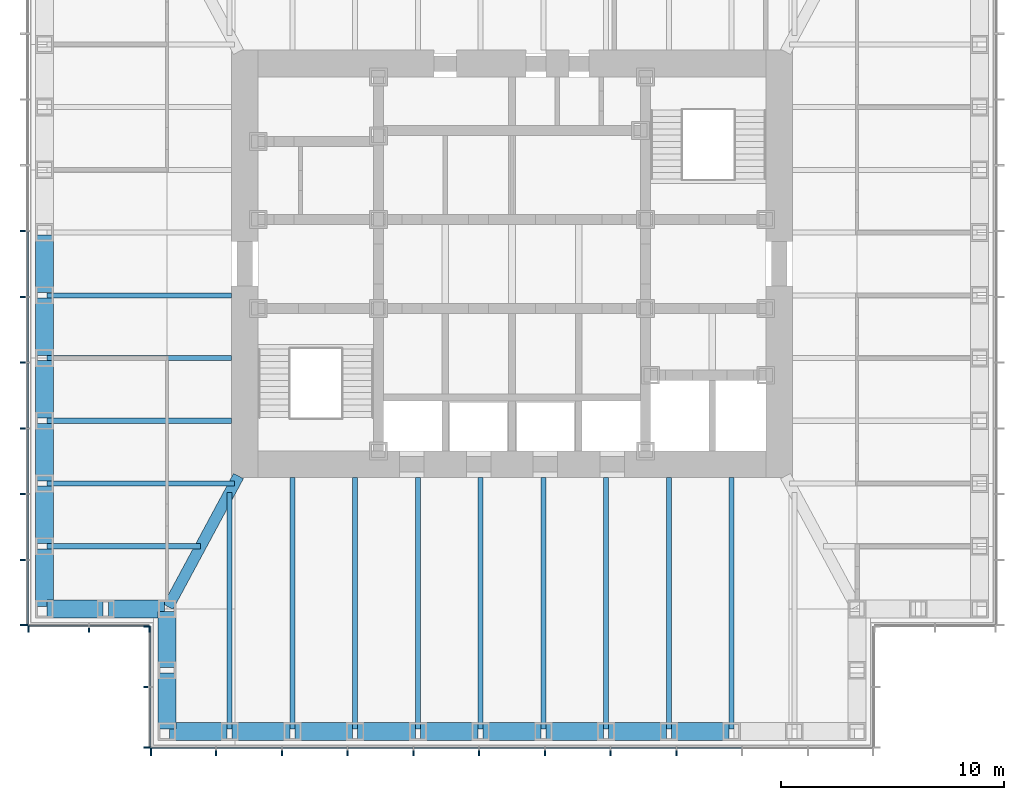
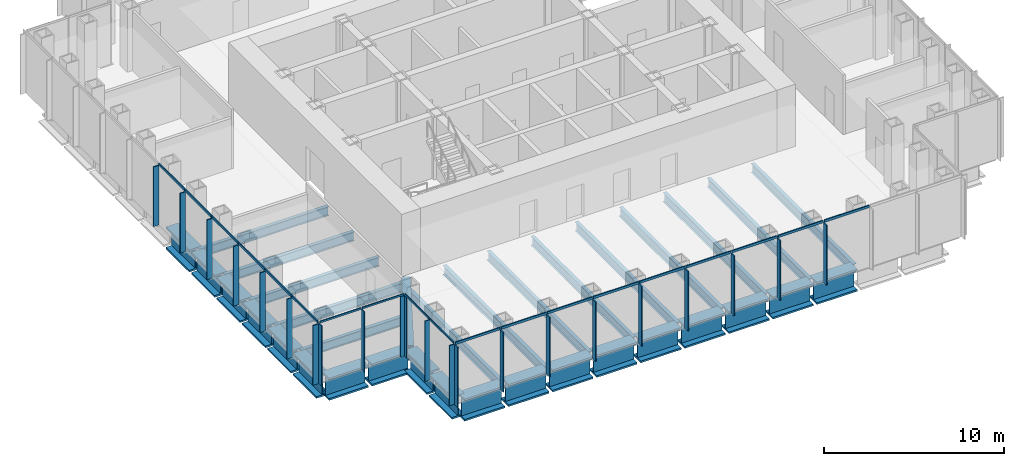
# One storey, part 2 of 16: 41 members, 34 beams, 4 elements without a shape of their own.
"""IFC4 building model written with IfcOpenShell, lengths in metres."""

from ifc_helpers import new_model, si_unit, direction, frame, origin, origin_2d, place, context, subcontext, project, spatial, rectangle, i_section, extrude, material, material_profile, profile_set, type_object, element, aggregate, save


model = new_model("IFC4")

# Units and contexts
model_context = context("Model", 3, precision=1e-05, world=origin(), true_north=direction((0.0, 1.0)))
body_context = subcontext(model_context, "Body", "Model", "MODEL_VIEW")
ifc_project = project(units=[si_unit("LENGTHUNIT", "METRE"), si_unit("AREAUNIT", "SQUARE_METRE"), si_unit("VOLUMEUNIT", "CUBIC_METRE"), si_unit("PLANEANGLEUNIT", "RADIAN"), si_unit("MASSUNIT", "GRAM", prefix="KILO")], contexts=[model_context])

# Site, building, storey
site_placement = place(None, origin())
site = spatial("IfcSite", under=ifc_project, at=site_placement, CompositionType="ELEMENT")
building_placement = place(site_placement, origin())
building = spatial("IfcBuilding", under=site, at=building_placement, Name="Daluyong Arena Tower", CompositionType="ELEMENT")
storey_placement = place(building_placement, frame((0.0, 0.0, 214.89990234375)))
storey = spatial("IfcBuildingStorey", under=building, at=storey_placement, Name="L48", CompositionType="ELEMENT", Elevation=214.89990234375)

# Curtain wall, members
ifc_material_1 = material(Name="Bronze anodised aluminium and glass", Category="aluminium")
curtain_wall_type_1 = type_object("IfcCurtainWallType", Name="Curtain wall CW3", PredefinedType="USERDEFINED", material=ifc_material_1)
curtain_wall_1_placement = place(storey_placement, origin())
curtain_wall_1 = element("IfcCurtainWall", 1, at=curtain_wall_1_placement, inside=storey, type_object=curtain_wall_type_1, Name="curtain wall L48 S", ObjectType="UNITISED CURTAIN WALL", PredefinedType="USERDEFINED")
ifc_material_2 = material(Name="Bronze anodised aluminium fin", Category="aluminium")
ifc_material_profile_1 = material_profile(ifc_material_2, rectangle(XDim=0.35009765625, YDim=0.070068359375, at=origin_2d()))
ifc_profile_set_1 = profile_set([ifc_material_profile_1], Name="Bronze anodised aluminium fin")
member_type_1 = type_object("IfcMemberType", Name="CW3 bronze fin 350x70", PredefinedType="MULLION", material=ifc_profile_set_1)
member_1_placement = place(storey_placement, frame((39.784912109375, 58.074951171875, 0.0), z_axis=(0.0, 0.0, 1.0), x_axis=(0.0, 1.0, 0.0)))
member_1 = element("IfcMember", 2, at=member_1_placement, type_object=member_type_1, Name="curtain wall L48 S fin 1", PredefinedType="MULLION", context=body_context, shape_type="SweptSolid", body=[
    extrude(rectangle(XDim=0.35009765625, YDim=0.070068359375, at=origin_2d()), origin(), (0.0, 0.0, 1.0), 4.0400390625),
])
member_2_placement = place(storey_placement, frame((42.70458984375, 58.074951171875, 0.0), z_axis=(0.0, 0.0, 1.0), x_axis=(0.0, 1.0, 0.0)))
member_2 = element("IfcMember", 3, at=member_2_placement, type_object=member_type_1, Name="curtain wall L48 S fin 2", PredefinedType="MULLION", context=body_context, shape_type="SweptSolid", body=[
    extrude(rectangle(XDim=0.35009765625, YDim=0.070068359375, at=origin_2d()), origin(), (0.0, 0.0, 1.0), 4.0400390625),
])
member_3_placement = place(storey_placement, frame((45.6591796875, 58.074951171875, 0.0), z_axis=(0.0, 0.0, 1.0), x_axis=(0.0, 1.0, 0.0)))
member_3 = element("IfcMember", 4, at=member_3_placement, type_object=member_type_1, Name="curtain wall L48 S fin 3", PredefinedType="MULLION", context=body_context, shape_type="SweptSolid", body=[
    extrude(rectangle(XDim=0.35009765625, YDim=0.070068359375, at=origin_2d()), origin(), (0.0, 0.0, 1.0), 4.0400390625),
])
member_4_placement = place(storey_placement, frame((48.613525390625, 58.074951171875, 0.0), z_axis=(0.0, 0.0, 1.0), x_axis=(0.0, 1.0, 0.0)))
member_4 = element("IfcMember", 5, at=member_4_placement, type_object=member_type_1, Name="curtain wall L48 S fin 4", PredefinedType="MULLION", context=body_context, shape_type="SweptSolid", body=[
    extrude(rectangle(XDim=0.35009765625, YDim=0.070068359375, at=origin_2d()), origin(), (0.0, 0.0, 1.0), 4.0400390625),
])
member_5_placement = place(storey_placement, frame((51.568115234375, 58.074951171875, 0.0), z_axis=(0.0, 0.0, 1.0), x_axis=(0.0, 1.0, 0.0)))
member_5 = element("IfcMember", 6, at=member_5_placement, type_object=member_type_1, Name="curtain wall L48 S fin 5", PredefinedType="MULLION", context=body_context, shape_type="SweptSolid", body=[
    extrude(rectangle(XDim=0.35009765625, YDim=0.070068359375, at=origin_2d()), origin(), (0.0, 0.0, 1.0), 4.0400390625),
])
member_6_placement = place(storey_placement, frame((54.522705078125, 58.074951171875, 0.0), z_axis=(0.0, 0.0, 1.0), x_axis=(0.0, 1.0, 0.0)))
member_6 = element("IfcMember", 7, at=member_6_placement, type_object=member_type_1, Name="curtain wall L48 S fin 6", PredefinedType="MULLION", context=body_context, shape_type="SweptSolid", body=[
    extrude(rectangle(XDim=0.35009765625, YDim=0.070068359375, at=origin_2d()), origin(), (0.0, 0.0, 1.0), 4.0400390625),
])
member_7_placement = place(storey_placement, frame((57.477294921875, 58.074951171875, 0.0), z_axis=(0.0, 0.0, 1.0), x_axis=(0.0, 1.0, 0.0)))
member_7 = element("IfcMember", 8, at=member_7_placement, type_object=member_type_1, Name="curtain wall L48 S fin 7", PredefinedType="MULLION", context=body_context, shape_type="SweptSolid", body=[
    extrude(rectangle(XDim=0.35009765625, YDim=0.070068359375, at=origin_2d()), origin(), (0.0, 0.0, 1.0), 4.0400390625),
])
member_8_placement = place(storey_placement, frame((60.431884765625, 58.074951171875, 0.0), z_axis=(0.0, 0.0, 1.0), x_axis=(0.0, 1.0, 0.0)))
member_8 = element("IfcMember", 9, at=member_8_placement, type_object=member_type_1, Name="curtain wall L48 S fin 8", PredefinedType="MULLION", context=body_context, shape_type="SweptSolid", body=[
    extrude(rectangle(XDim=0.35009765625, YDim=0.070068359375, at=origin_2d()), origin(), (0.0, 0.0, 1.0), 4.0400390625),
])
member_9_placement = place(storey_placement, frame((63.386474609375, 58.074951171875, 0.0), z_axis=(0.0, 0.0, 1.0), x_axis=(0.0, 1.0, 0.0)))
member_9 = element("IfcMember", 10, at=member_9_placement, type_object=member_type_1, Name="curtain wall L48 S fin 9", PredefinedType="MULLION", context=body_context, shape_type="SweptSolid", body=[
    extrude(rectangle(XDim=0.35009765625, YDim=0.070068359375, at=origin_2d()), origin(), (0.0, 0.0, 1.0), 4.0400390625),
])

curtain_wall_2_placement = place(storey_placement, origin())
curtain_wall_2 = element("IfcCurtainWall", 11, at=curtain_wall_2_placement, inside=storey, type_object=curtain_wall_type_1, Name="curtain wall L48 W", ObjectType="UNITISED CURTAIN WALL", PredefinedType="USERDEFINED")
member_10_placement = place(storey_placement, frame((34.074951171875, 81.477294921875, 0.0), z_axis=(0.0, 0.0, 1.0), x_axis=(1.0, 0.0, 0.0)))
member_10 = element("IfcMember", 12, at=member_10_placement, type_object=member_type_1, Name="curtain wall L48 W fin 6", PredefinedType="MULLION", context=body_context, shape_type="SweptSolid", body=[
    extrude(rectangle(XDim=0.35009765625, YDim=0.070068359375, at=origin_2d()), origin(), (0.0, 0.0, 1.0), 4.0400390625),
])
member_11_placement = place(storey_placement, frame((34.074951171875, 78.522705078125, 0.0), z_axis=(0.0, 0.0, 1.0), x_axis=(1.0, 0.0, 0.0)))
member_11 = element("IfcMember", 13, at=member_11_placement, type_object=member_type_1, Name="curtain wall L48 W fin 7", PredefinedType="MULLION", context=body_context, shape_type="SweptSolid", body=[
    extrude(rectangle(XDim=0.35009765625, YDim=0.070068359375, at=origin_2d()), origin(), (0.0, 0.0, 1.0), 4.0400390625),
])
member_12_placement = place(storey_placement, frame((34.074951171875, 75.568115234375, 0.0), z_axis=(0.0, 0.0, 1.0), x_axis=(1.0, 0.0, 0.0)))
member_12 = element("IfcMember", 14, at=member_12_placement, type_object=member_type_1, Name="curtain wall L48 W fin 8", PredefinedType="MULLION", context=body_context, shape_type="SweptSolid", body=[
    extrude(rectangle(XDim=0.35009765625, YDim=0.070068359375, at=origin_2d()), origin(), (0.0, 0.0, 1.0), 4.0400390625),
])
member_13_placement = place(storey_placement, frame((34.074951171875, 72.613525390625, 0.0), z_axis=(0.0, 0.0, 1.0), x_axis=(1.0, 0.0, 0.0)))
member_13 = element("IfcMember", 15, at=member_13_placement, type_object=member_type_1, Name="curtain wall L48 W fin 9", PredefinedType="MULLION", context=body_context, shape_type="SweptSolid", body=[
    extrude(rectangle(XDim=0.35009765625, YDim=0.070068359375, at=origin_2d()), origin(), (0.0, 0.0, 1.0), 4.0400390625),
])
member_14_placement = place(storey_placement, frame((34.074951171875, 69.6591796875, 0.0), z_axis=(0.0, 0.0, 1.0), x_axis=(1.0, 0.0, 0.0)))
member_14 = element("IfcMember", 16, at=member_14_placement, type_object=member_type_1, Name="curtain wall L48 W fin 10", PredefinedType="MULLION", context=body_context, shape_type="SweptSolid", body=[
    extrude(rectangle(XDim=0.35009765625, YDim=0.070068359375, at=origin_2d()), origin(), (0.0, 0.0, 1.0), 4.0400390625),
])
member_15_placement = place(storey_placement, frame((34.074951171875, 66.70458984375, 0.0), z_axis=(0.0, 0.0, 1.0), x_axis=(1.0, 0.0, 0.0)))
member_15 = element("IfcMember", 17, at=member_15_placement, type_object=member_type_1, Name="curtain wall L48 W fin 11", PredefinedType="MULLION", context=body_context, shape_type="SweptSolid", body=[
    extrude(rectangle(XDim=0.35009765625, YDim=0.070068359375, at=origin_2d()), origin(), (0.0, 0.0, 1.0), 4.0400390625),
])
member_16_placement = place(storey_placement, frame((34.074951171875, 63.784912109375, 0.0), z_axis=(0.0, 0.0, 1.0), x_axis=(1.0, 0.0, 0.0)))
member_16 = element("IfcMember", 18, at=member_16_placement, type_object=member_type_1, Name="curtain wall L48 W fin 12", PredefinedType="MULLION", context=body_context, shape_type="SweptSolid", body=[
    extrude(rectangle(XDim=0.35009765625, YDim=0.070068359375, at=origin_2d()), origin(), (0.0, 0.0, 1.0), 4.0400390625),
])

# Member
ifc_material_3 = material(Name="Bronze anodised aluminium", Category="aluminium")
ifc_material_profile_2 = material_profile(ifc_material_3, rectangle(XDim=0.070068359375, YDim=0.159912109375, at=origin_2d()))
ifc_profile_set_2 = profile_set([ifc_material_profile_2], Name="Bronze anodised aluminium")
member_type_2 = type_object("IfcMemberType", Name="CW3 stack transom 160x70", PredefinedType="USERDEFINED", material=ifc_profile_set_2)
member_17_placement = place(storey_placement, frame((39.820068359375, 58.25, 4.1201171875), z_axis=(1.0, 0.0, 0.0), x_axis=(0.0, 1.0, 0.0)))
member_17 = element("IfcMember", 19, at=member_17_placement, type_object=member_type_2, Name="curtain wall L48 S transom 1", ObjectType="TRANSOM", PredefinedType="USERDEFINED", context=body_context, shape_type="SweptSolid", body=[
    extrude(rectangle(XDim=0.070068359375, YDim=0.159912109375, at=origin_2d()), origin(), (0.0, 0.0, 1.0), 2.849365234375),
])

member_18_placement = place(storey_placement, frame((42.739501953125, 58.25, 4.1201171875), z_axis=(1.0, 0.0, 0.0), x_axis=(0.0, 1.0, 0.0)))
member_18 = element("IfcMember", 20, at=member_18_placement, type_object=member_type_2, Name="curtain wall L48 S transom 2", ObjectType="TRANSOM", PredefinedType="USERDEFINED", context=body_context, shape_type="SweptSolid", body=[
    extrude(rectangle(XDim=0.070068359375, YDim=0.159912109375, at=origin_2d()), origin(), (0.0, 0.0, 1.0), 2.884521484375),
])

member_19_placement = place(storey_placement, frame((45.694091796875, 58.25, 4.1201171875), z_axis=(1.0, 0.0, 0.0), x_axis=(0.0, 1.0, 0.0)))
member_19 = element("IfcMember", 21, at=member_19_placement, type_object=member_type_2, Name="curtain wall L48 S transom 3", ObjectType="TRANSOM", PredefinedType="USERDEFINED", context=body_context, shape_type="SweptSolid", body=[
    extrude(rectangle(XDim=0.070068359375, YDim=0.159912109375, at=origin_2d()), origin(), (0.0, 0.0, 1.0), 2.884521484375),
])

member_20_placement = place(storey_placement, frame((48.648681640625, 58.25, 4.1201171875), z_axis=(1.0, 0.0, 0.0), x_axis=(0.0, 1.0, 0.0)))
member_20 = element("IfcMember", 22, at=member_20_placement, type_object=member_type_2, Name="curtain wall L48 S transom 4", ObjectType="TRANSOM", PredefinedType="USERDEFINED", context=body_context, shape_type="SweptSolid", body=[
    extrude(rectangle(XDim=0.070068359375, YDim=0.159912109375, at=origin_2d()), origin(), (0.0, 0.0, 1.0), 2.884521484375),
])

member_21_placement = place(storey_placement, frame((51.603271484375, 58.25, 4.1201171875), z_axis=(1.0, 0.0, 0.0), x_axis=(0.0, 1.0, 0.0)))
member_21 = element("IfcMember", 23, at=member_21_placement, type_object=member_type_2, Name="curtain wall L48 S transom 5", ObjectType="TRANSOM", PredefinedType="USERDEFINED", context=body_context, shape_type="SweptSolid", body=[
    extrude(rectangle(XDim=0.070068359375, YDim=0.159912109375, at=origin_2d()), origin(), (0.0, 0.0, 1.0), 2.884521484375),
])

member_22_placement = place(storey_placement, frame((54.5576171875, 58.25, 4.1201171875), z_axis=(1.0, 0.0, 0.0), x_axis=(0.0, 1.0, 0.0)))
member_22 = element("IfcMember", 24, at=member_22_placement, type_object=member_type_2, Name="curtain wall L48 S transom 6", ObjectType="TRANSOM", PredefinedType="USERDEFINED", context=body_context, shape_type="SweptSolid", body=[
    extrude(rectangle(XDim=0.070068359375, YDim=0.159912109375, at=origin_2d()), origin(), (0.0, 0.0, 1.0), 2.884765625),
])

member_23_placement = place(storey_placement, frame((57.51220703125, 58.25, 4.1201171875), z_axis=(1.0, 0.0, 0.0), x_axis=(0.0, 1.0, 0.0)))
member_23 = element("IfcMember", 25, at=member_23_placement, type_object=member_type_2, Name="curtain wall L48 S transom 7", ObjectType="TRANSOM", PredefinedType="USERDEFINED", context=body_context, shape_type="SweptSolid", body=[
    extrude(rectangle(XDim=0.070068359375, YDim=0.159912109375, at=origin_2d()), origin(), (0.0, 0.0, 1.0), 2.884521484375),
])

member_24_placement = place(storey_placement, frame((60.466796875, 58.25, 4.1201171875), z_axis=(1.0, 0.0, 0.0), x_axis=(0.0, 1.0, 0.0)))
member_24 = element("IfcMember", 26, at=member_24_placement, type_object=member_type_2, Name="curtain wall L48 S transom 8", ObjectType="TRANSOM", PredefinedType="USERDEFINED", context=body_context, shape_type="SweptSolid", body=[
    extrude(rectangle(XDim=0.070068359375, YDim=0.159912109375, at=origin_2d()), origin(), (0.0, 0.0, 1.0), 2.884521484375),
])

member_25_placement = place(storey_placement, frame((63.42138671875, 58.25, 4.1201171875), z_axis=(1.0, 0.0, 0.0), x_axis=(0.0, 1.0, 0.0)))
member_25 = element("IfcMember", 27, at=member_25_placement, type_object=member_type_2, Name="curtain wall L48 S transom 9", ObjectType="TRANSOM", PredefinedType="USERDEFINED", context=body_context, shape_type="SweptSolid", body=[
    extrude(rectangle(XDim=0.070068359375, YDim=0.159912109375, at=origin_2d()), origin(), (0.0, 0.0, 1.0), 2.884521484375),
])

aggregate(curtain_wall_1, [member_1, member_2, member_3, member_4, member_5, member_6, member_7, member_8, member_9, member_17, member_18, member_19, member_20, member_21, member_22, member_23, member_24, member_25])

member_26_placement = place(storey_placement, frame((34.25, 81.4423828125, 4.1201171875), z_axis=(0.0, -1.0, 0.0), x_axis=(1.0, 0.0, 0.0)))
member_26 = element("IfcMember", 28, at=member_26_placement, type_object=member_type_2, Name="curtain wall L48 W transom 6", ObjectType="TRANSOM", PredefinedType="USERDEFINED", context=body_context, shape_type="SweptSolid", body=[
    extrude(rectangle(XDim=0.070068359375, YDim=0.159912109375, at=origin_2d()), origin(), (0.0, 0.0, 1.0), 2.884765625),
])

member_27_placement = place(storey_placement, frame((34.25, 78.48779296875, 4.1201171875), z_axis=(0.0, -1.0, 0.0), x_axis=(1.0, 0.0, 0.0)))
member_27 = element("IfcMember", 29, at=member_27_placement, type_object=member_type_2, Name="curtain wall L48 W transom 7", ObjectType="TRANSOM", PredefinedType="USERDEFINED", context=body_context, shape_type="SweptSolid", body=[
    extrude(rectangle(XDim=0.070068359375, YDim=0.159912109375, at=origin_2d()), origin(), (0.0, 0.0, 1.0), 2.884521484375),
])

member_28_placement = place(storey_placement, frame((34.25, 75.533203125, 4.1201171875), z_axis=(0.0, -1.0, 0.0), x_axis=(1.0, 0.0, 0.0)))
member_28 = element("IfcMember", 30, at=member_28_placement, type_object=member_type_2, Name="curtain wall L48 W transom 8", ObjectType="TRANSOM", PredefinedType="USERDEFINED", context=body_context, shape_type="SweptSolid", body=[
    extrude(rectangle(XDim=0.070068359375, YDim=0.159912109375, at=origin_2d()), origin(), (0.0, 0.0, 1.0), 2.884521484375),
])

member_29_placement = place(storey_placement, frame((34.25, 72.57861328125, 4.1201171875), z_axis=(0.0, -1.0, 0.0), x_axis=(1.0, 0.0, 0.0)))
member_29 = element("IfcMember", 31, at=member_29_placement, type_object=member_type_2, Name="curtain wall L48 W transom 9", ObjectType="TRANSOM", PredefinedType="USERDEFINED", context=body_context, shape_type="SweptSolid", body=[
    extrude(rectangle(XDim=0.070068359375, YDim=0.159912109375, at=origin_2d()), origin(), (0.0, 0.0, 1.0), 2.884521484375),
])

member_30_placement = place(storey_placement, frame((34.25, 69.6240234375, 4.1201171875), z_axis=(0.0, -1.0, 0.0), x_axis=(1.0, 0.0, 0.0)))
member_30 = element("IfcMember", 32, at=member_30_placement, type_object=member_type_2, Name="curtain wall L48 W transom 10", ObjectType="TRANSOM", PredefinedType="USERDEFINED", context=body_context, shape_type="SweptSolid", body=[
    extrude(rectangle(XDim=0.070068359375, YDim=0.159912109375, at=origin_2d()), origin(), (0.0, 0.0, 1.0), 2.884521484375),
])

member_31_placement = place(storey_placement, frame((34.25, 66.66943359375, 4.1201171875), z_axis=(0.0, -1.0, 0.0), x_axis=(1.0, 0.0, 0.0)))
member_31 = element("IfcMember", 33, at=member_31_placement, type_object=member_type_2, Name="curtain wall L48 W transom 11", ObjectType="TRANSOM", PredefinedType="USERDEFINED", context=body_context, shape_type="SweptSolid", body=[
    extrude(rectangle(XDim=0.070068359375, YDim=0.159912109375, at=origin_2d()), origin(), (0.0, 0.0, 1.0), 2.849365234375),
])

aggregate(curtain_wall_2, [member_10, member_11, member_12, member_13, member_14, member_15, member_16, member_26, member_27, member_28, member_29, member_30, member_31])

# Curtain wall, members
ifc_material_4 = material(Name="Bronze anodised aluminium and glass", Category="aluminium")
curtain_wall_type_2 = type_object("IfcCurtainWallType", Name="Curtain wall CW7", PredefinedType="USERDEFINED", material=ifc_material_4)
curtain_wall_3_placement = place(storey_placement, origin())
curtain_wall_3 = element("IfcCurtainWall", 34, at=curtain_wall_3_placement, inside=storey, type_object=curtain_wall_type_2, Name="curtain wall L48 SW-S", ObjectType="UNITISED CURTAIN WALL", PredefinedType="USERDEFINED")
ifc_material_5 = material(Name="Bronze anodised aluminium fin", Category="aluminium")
ifc_material_profile_3 = material_profile(ifc_material_5, rectangle(XDim=0.300048828125, YDim=0.06005859375, at=origin_2d()))
ifc_profile_set_3 = profile_set([ifc_material_profile_3], Name="Bronze anodised aluminium fin")
member_type_3 = type_object("IfcMemberType", Name="CW7 bronze fin 300x60", PredefinedType="MULLION", material=ifc_profile_set_3)
member_32_placement = place(storey_placement, frame((34.280029296875, 63.60009765625, 0.0), z_axis=(0.0, 0.0, 1.0), x_axis=(0.0, 1.0, 0.0)))
member_32 = element("IfcMember", 35, at=member_32_placement, type_object=member_type_3, Name="curtain wall L48 SW-S fin 1", PredefinedType="MULLION", context=body_context, shape_type="SweptSolid", body=[
    extrude(rectangle(XDim=0.300048828125, YDim=0.06005859375, at=origin_2d()), origin(), (0.0, 0.0, 1.0), 4.080078125),
])
member_33_placement = place(storey_placement, frame((37.0, 63.60009765625, 0.0), z_axis=(0.0, 0.0, 1.0), x_axis=(0.0, 1.0, 0.0)))
member_33 = element("IfcMember", 36, at=member_33_placement, type_object=member_type_3, Name="curtain wall L48 SW-S fin 2", PredefinedType="MULLION", context=body_context, shape_type="SweptSolid", body=[
    extrude(rectangle(XDim=0.300048828125, YDim=0.06005859375, at=origin_2d()), origin(), (0.0, 0.0, 1.0), 4.080078125),
])
member_34_placement = place(storey_placement, frame((39.719970703125, 63.60009765625, 0.0), z_axis=(0.0, 0.0, 1.0), x_axis=(0.0, 1.0, 0.0)))
member_34 = element("IfcMember", 37, at=member_34_placement, type_object=member_type_3, Name="curtain wall L48 SW-S fin 3", PredefinedType="MULLION", context=body_context, shape_type="SweptSolid", body=[
    extrude(rectangle(XDim=0.300048828125, YDim=0.06005859375, at=origin_2d()), origin(), (0.0, 0.0, 1.0), 4.080078125),
])

curtain_wall_4_placement = place(storey_placement, origin())
curtain_wall_4 = element("IfcCurtainWall", 38, at=curtain_wall_4_placement, inside=storey, type_object=curtain_wall_type_2, Name="curtain wall L48 SW-W", ObjectType="UNITISED CURTAIN WALL", PredefinedType="USERDEFINED")
member_35_placement = place(storey_placement, frame((39.60009765625, 63.719970703125, 0.0), z_axis=(0.0, 0.0, 1.0), x_axis=(1.0, 0.0, 0.0)))
member_35 = element("IfcMember", 39, at=member_35_placement, type_object=member_type_3, Name="curtain wall L48 SW-W fin 1", PredefinedType="MULLION", context=body_context, shape_type="SweptSolid", body=[
    extrude(rectangle(XDim=0.300048828125, YDim=0.06005859375, at=origin_2d()), origin(), (0.0, 0.0, 1.0), 4.080078125),
])
member_36_placement = place(storey_placement, frame((39.60009765625, 61.0, 0.0), z_axis=(0.0, 0.0, 1.0), x_axis=(1.0, 0.0, 0.0)))
member_36 = element("IfcMember", 40, at=member_36_placement, type_object=member_type_3, Name="curtain wall L48 SW-W fin 2", PredefinedType="MULLION", context=body_context, shape_type="SweptSolid", body=[
    extrude(rectangle(XDim=0.300048828125, YDim=0.06005859375, at=origin_2d()), origin(), (0.0, 0.0, 1.0), 4.080078125),
])
member_37_placement = place(storey_placement, frame((39.60009765625, 58.280029296875, 0.0), z_axis=(0.0, 0.0, 1.0), x_axis=(1.0, 0.0, 0.0)))
member_37 = element("IfcMember", 41, at=member_37_placement, type_object=member_type_3, Name="curtain wall L48 SW-W fin 3", PredefinedType="MULLION", context=body_context, shape_type="SweptSolid", body=[
    extrude(rectangle(XDim=0.300048828125, YDim=0.06005859375, at=origin_2d()), origin(), (0.0, 0.0, 1.0), 4.080078125),
])

# Member
ifc_material_6 = material(Name="Bronze anodised aluminium", Category="aluminium")
ifc_material_profile_4 = material_profile(ifc_material_6, rectangle(XDim=0.06005859375, YDim=0.1201171875, at=origin_2d()))
ifc_profile_set_4 = profile_set([ifc_material_profile_4], Name="Bronze anodised aluminium")
member_type_4 = type_object("IfcMemberType", Name="CW7 stack transom 120x60", PredefinedType="USERDEFINED", material=ifc_profile_set_4)
member_38_placement = place(storey_placement, frame((34.31005859375, 63.75, 4.14013671875), z_axis=(1.0, 0.0, 0.0), x_axis=(0.0, 1.0, 0.0)))
member_38 = element("IfcMember", 42, at=member_38_placement, type_object=member_type_4, Name="curtain wall L48 SW-S transom 1", ObjectType="TRANSOM", PredefinedType="USERDEFINED", context=body_context, shape_type="SweptSolid", body=[
    extrude(rectangle(XDim=0.06005859375, YDim=0.1201171875, at=origin_2d()), origin(), (0.0, 0.0, 1.0), 2.659912109375),
])

member_39_placement = place(storey_placement, frame((37.030029296875, 63.75, 4.14013671875), z_axis=(1.0, 0.0, 0.0), x_axis=(0.0, 1.0, 0.0)))
member_39 = element("IfcMember", 43, at=member_39_placement, type_object=member_type_4, Name="curtain wall L48 SW-S transom 2", ObjectType="TRANSOM", PredefinedType="USERDEFINED", context=body_context, shape_type="SweptSolid", body=[
    extrude(rectangle(XDim=0.06005859375, YDim=0.1201171875, at=origin_2d()), origin(), (0.0, 0.0, 1.0), 2.659912109375),
])

aggregate(curtain_wall_3, [member_32, member_33, member_34, member_38, member_39])

member_40_placement = place(storey_placement, frame((39.75, 63.68994140625, 4.14013671875), z_axis=(0.0, -1.0, 0.0), x_axis=(1.0, 0.0, 0.0)))
member_40 = element("IfcMember", 44, at=member_40_placement, type_object=member_type_4, Name="curtain wall L48 SW-W transom 1", ObjectType="TRANSOM", PredefinedType="USERDEFINED", context=body_context, shape_type="SweptSolid", body=[
    extrude(rectangle(XDim=0.06005859375, YDim=0.1201171875, at=origin_2d()), origin(), (0.0, 0.0, 1.0), 2.659912109375),
])

member_41_placement = place(storey_placement, frame((39.75, 60.969970703125, 4.14013671875), z_axis=(0.0, -1.0, 0.0), x_axis=(1.0, 0.0, 0.0)))
member_41 = element("IfcMember", 45, at=member_41_placement, type_object=member_type_4, Name="curtain wall L48 SW-W transom 2", ObjectType="TRANSOM", PredefinedType="USERDEFINED", context=body_context, shape_type="SweptSolid", body=[
    extrude(rectangle(XDim=0.06005859375, YDim=0.1201171875, at=origin_2d()), origin(), (0.0, 0.0, 1.0), 2.659912109375),
])

aggregate(curtain_wall_4, [member_35, member_36, member_37, member_40, member_41])

# Beams
ifc_material_7 = material(Name="Steel ASTM A572 Grade 50", Category="steel")
ifc_material_profile_5 = material_profile(ifc_material_7, i_section(OverallWidth=0.5, OverallDepth=1.0, WebThickness=0.03, FlangeThickness=0.06, at=origin_2d()))
ifc_profile_set_5 = profile_set([ifc_material_profile_5], Name="Steel ASTM A572 Grade 50")
beam_type_1 = type_object("IfcBeamType", Name="Corner girder TB1000X500", PredefinedType="BEAM", material=ifc_profile_set_5)
beam_1_placement = place(storey_placement, frame((40.554443359375, 64.601318359375, -0.659912109375), z_axis=(0.474119475266, 0.880460517669, 0.0), x_axis=(-0.880460517669, 0.474119475266, 0.0)))
element("IfcBeam", 46, at=beam_1_placement, inside=storey, type_object=beam_type_1, Name="corner girder DG2", PredefinedType="BEAM", context=body_context, shape_type="SweptSolid", body=[
    extrude(i_section(OverallWidth=0.5, OverallDepth=1.0, WebThickness=0.03, FlangeThickness=0.06, at=origin_2d()), origin(), (0.0, 0.0, 1.0), 6.66748046875),
])
ifc_material_8 = material(Name="Steel ASTM A992 Grade 50", Category="steel")
ifc_material_profile_6 = material_profile(ifc_material_8, i_section(OverallWidth=0.22900390625, OverallDepth=0.612060546875, WebThickness=0.011962890625, FlangeThickness=0.01953125, at=origin_2d()))
ifc_profile_set_6 = profile_set([ifc_material_profile_6], Name="Steel ASTM A992 Grade 50")
beam_type_2 = type_object("IfcBeamType", Name="Floor beam W24X84", PredefinedType="BEAM", material=ifc_profile_set_6)
beam_2_placement = place(storey_placement, frame((43.318115234375, 59.114990234375, -0.466064453125), z_axis=(0.0, 1.0, 0.0), x_axis=(-1.0, 0.0, 0.0)))
element("IfcBeam", 47, at=beam_2_placement, inside=storey, type_object=beam_type_2, Name="floor beam FB3", PredefinedType="BEAM", context=body_context, shape_type="SweptSolid", body=[
    extrude(i_section(OverallWidth=0.22900390625, OverallDepth=0.612060546875, WebThickness=0.011962890625, FlangeThickness=0.01953125, at=origin_2d()), origin(), (0.0, 0.0, 1.0), 10.618896484375),
])
for number, where, z_axis, x_axis, name in (
    (48, (46.136474609375, 59.114990234375, -0.466064453125), (0.0, 1.0, 0.0), (-1.0, 0.0, 0.0), "floor beam FB3"),
    (49, (48.95458984375, 59.114990234375, -0.466064453125), (0.0, 1.0, 0.0), (-1.0, 0.0, 0.0), "floor beam FB3"),
    (50, (51.772705078125, 59.114990234375, -0.466064453125), (0.0, 1.0, 0.0), (-1.0, 0.0, 0.0), "floor beam FB3"),
    (51, (54.5908203125, 59.114990234375, -0.466064453125), (0.0, 1.0, 0.0), (-1.0, 0.0, 0.0), "floor beam FB3"),
    (52, (57.4091796875, 59.114990234375, -0.466064453125), (0.0, 1.0, 0.0), (-1.0, 0.0, 0.0), "floor beam FB3"),
    (53, (60.227294921875, 59.114990234375, -0.466064453125), (0.0, 1.0, 0.0), (-1.0, 0.0, 0.0), "floor beam FB3"),
    (54, (63.04541015625, 59.114990234375, -0.466064453125), (0.0, 1.0, 0.0), (-1.0, 0.0, 0.0), "floor beam FB3"),
    (55, (65.863525390625, 59.114990234375, -0.466064453125), (0.0, 1.0, 0.0), (-1.0, 0.0, 0.0), "floor beam FB3"),
):
    element("IfcBeam", number, at=place(storey_placement, frame(where, z_axis=z_axis, x_axis=x_axis)), inside=storey, type_object=beam_type_2, Name=name, PredefinedType="BEAM", context=body_context, shape_type="SweptSolid", body=[
        extrude(i_section(OverallWidth=0.22900390625, OverallDepth=0.612060546875, WebThickness=0.011962890625, FlangeThickness=0.01953125, at=origin_2d()), origin(), (0.0, 0.0, 1.0), 11.284912109375),
    ])
for number, where, z_axis, x_axis, name in (
    (56, (35.114990234375, 78.5908203125, -0.466064453125), (1.0, 0.0, 0.0), (0.0, 1.0, 0.0), "floor beam FB3"),
    (57, (35.114990234375, 75.772705078125, -0.466064453125), (1.0, 0.0, 0.0), (0.0, 1.0, 0.0), "floor beam FB3"),
    (58, (35.114990234375, 72.95458984375, -0.466064453125), (1.0, 0.0, 0.0), (0.0, 1.0, 0.0), "floor beam FB3"),
):
    element("IfcBeam", number, at=place(storey_placement, frame(where, z_axis=z_axis, x_axis=x_axis)), inside=storey, type_object=beam_type_2, Name=name, PredefinedType="BEAM", context=body_context, shape_type="SweptSolid", body=[
        extrude(i_section(OverallWidth=0.22900390625, OverallDepth=0.612060546875, WebThickness=0.011962890625, FlangeThickness=0.01953125, at=origin_2d()), origin(), (0.0, 0.0, 1.0), 8.284912109375),
    ])
beam_3_placement = place(storey_placement, frame((35.114990234375, 70.136474609375, -0.466064453125), z_axis=(1.0, 0.0, 0.0), x_axis=(0.0, 1.0, 0.0)))
element("IfcBeam", 59, at=beam_3_placement, inside=storey, type_object=beam_type_2, Name="floor beam FB3", PredefinedType="BEAM", context=body_context, shape_type="SweptSolid", body=[
    extrude(i_section(OverallWidth=0.22900390625, OverallDepth=0.612060546875, WebThickness=0.011962890625, FlangeThickness=0.01953125, at=origin_2d()), origin(), (0.0, 0.0, 1.0), 8.419921875),
])
beam_4_placement = place(storey_placement, frame((35.114990234375, 67.318115234375, -0.466064453125), z_axis=(1.0, 0.0, 0.0), x_axis=(0.0, 1.0, 0.0)))
element("IfcBeam", 60, at=beam_4_placement, inside=storey, type_object=beam_type_2, Name="floor beam FB3", PredefinedType="BEAM", context=body_context, shape_type="SweptSolid", body=[
    extrude(i_section(OverallWidth=0.22900390625, OverallDepth=0.612060546875, WebThickness=0.011962890625, FlangeThickness=0.01953125, at=origin_2d()), origin(), (0.0, 0.0, 1.0), 6.902587890625),
])
ifc_material_9 = material(Name="Steel ASTM A588 Grade 50", Category="steel")
ifc_material_profile_7 = material_profile(ifc_material_9, i_section(OverallWidth=0.800048828125, OverallDepth=1.5, WebThickness=0.05, FlangeThickness=0.12, at=origin_2d()))
ifc_profile_set_7 = profile_set([ifc_material_profile_7], Name="Steel ASTM A588 Grade 50")
beam_type_3 = type_object("IfcBeamType", Name="Spandrel Z3 PG1500X800", PredefinedType="SPANDREL", material=ifc_profile_set_7)
beam_5_placement = place(storey_placement, frame((40.614990234375, 59.0, -0.909912109375), z_axis=(1.0, 0.0, 0.0), x_axis=(0.0, 1.0, 0.0)))
element("IfcBeam", 61, at=beam_5_placement, inside=storey, type_object=beam_type_3, Name="spandrel z3 SB7", PredefinedType="SPANDREL", context=body_context, shape_type="SweptSolid", body=[
    extrude(i_section(OverallWidth=0.800048828125, OverallDepth=1.5, WebThickness=0.05, FlangeThickness=0.12, at=origin_2d()), origin(), (0.0, 0.0, 1.0), 2.588134765625),
])
beam_6_placement = place(storey_placement, frame((43.43310546875, 59.0, -0.909912109375), z_axis=(1.0, 0.0, 0.0), x_axis=(0.0, 1.0, 0.0)))
element("IfcBeam", 62, at=beam_6_placement, inside=storey, type_object=beam_type_3, Name="spandrel z3 SB7", PredefinedType="SPANDREL", context=body_context, shape_type="SweptSolid", body=[
    extrude(i_section(OverallWidth=0.800048828125, OverallDepth=1.5, WebThickness=0.05, FlangeThickness=0.12, at=origin_2d()), origin(), (0.0, 0.0, 1.0), 2.58837890625),
])
for number, where, z_axis, x_axis, name in (
    (63, (46.25146484375, 59.0, -0.909912109375), (1.0, 0.0, 0.0), (0.0, 1.0, 0.0), "spandrel z3 SB7"),
    (64, (49.069580078125, 59.0, -0.909912109375), (1.0, 0.0, 0.0), (0.0, 1.0, 0.0), "spandrel z3 SB7"),
    (65, (51.8876953125, 59.0, -0.909912109375), (1.0, 0.0, 0.0), (0.0, 1.0, 0.0), "spandrel z3 SB7"),
):
    element("IfcBeam", number, at=place(storey_placement, frame(where, z_axis=z_axis, x_axis=x_axis)), inside=storey, type_object=beam_type_3, Name=name, PredefinedType="SPANDREL", context=body_context, shape_type="SweptSolid", body=[
        extrude(i_section(OverallWidth=0.800048828125, OverallDepth=1.5, WebThickness=0.05, FlangeThickness=0.12, at=origin_2d()), origin(), (0.0, 0.0, 1.0), 2.588134765625),
    ])
beam_7_placement = place(storey_placement, frame((54.705810546875, 59.0, -0.909912109375), z_axis=(1.0, 0.0, 0.0), x_axis=(0.0, 1.0, 0.0)))
element("IfcBeam", 66, at=beam_7_placement, inside=storey, type_object=beam_type_3, Name="spandrel z3 SB7", PredefinedType="SPANDREL", context=body_context, shape_type="SweptSolid", body=[
    extrude(i_section(OverallWidth=0.800048828125, OverallDepth=1.5, WebThickness=0.05, FlangeThickness=0.12, at=origin_2d()), origin(), (0.0, 0.0, 1.0), 2.58837890625),
])
for number, where, z_axis, x_axis, name in (
    (67, (57.524169921875, 59.0, -0.909912109375), (1.0, 0.0, 0.0), (0.0, 1.0, 0.0), "spandrel z3 SB7"),
    (68, (60.34228515625, 59.0, -0.909912109375), (1.0, 0.0, 0.0), (0.0, 1.0, 0.0), "spandrel z3 SB7"),
    (69, (63.160400390625, 59.0, -0.909912109375), (1.0, 0.0, 0.0), (0.0, 1.0, 0.0), "spandrel z3 SB7"),
):
    element("IfcBeam", number, at=place(storey_placement, frame(where, z_axis=z_axis, x_axis=x_axis)), inside=storey, type_object=beam_type_3, Name=name, PredefinedType="SPANDREL", context=body_context, shape_type="SweptSolid", body=[
        extrude(i_section(OverallWidth=0.800048828125, OverallDepth=1.5, WebThickness=0.05, FlangeThickness=0.12, at=origin_2d()), origin(), (0.0, 0.0, 1.0), 2.588134765625),
    ])
beam_8_placement = place(storey_placement, frame((35.0, 81.294189453125, -0.909912109375), z_axis=(0.0, -1.0, 0.0), x_axis=(1.0, 0.0, 0.0)))
element("IfcBeam", 70, at=beam_8_placement, inside=storey, type_object=beam_type_3, Name="spandrel z3 SB7", PredefinedType="SPANDREL", context=body_context, shape_type="SweptSolid", body=[
    extrude(i_section(OverallWidth=0.800048828125, OverallDepth=1.5, WebThickness=0.05, FlangeThickness=0.12, at=origin_2d()), origin(), (0.0, 0.0, 1.0), 2.58837890625),
])
for number, where, z_axis, x_axis, name in (
    (71, (35.0, 78.475830078125, -0.909912109375), (0.0, -1.0, 0.0), (1.0, 0.0, 0.0), "spandrel z3 SB7"),
    (72, (35.0, 75.65771484375, -0.909912109375), (0.0, -1.0, 0.0), (1.0, 0.0, 0.0), "spandrel z3 SB7"),
    (73, (35.0, 72.839599609375, -0.909912109375), (0.0, -1.0, 0.0), (1.0, 0.0, 0.0), "spandrel z3 SB7"),
):
    element("IfcBeam", number, at=place(storey_placement, frame(where, z_axis=z_axis, x_axis=x_axis)), inside=storey, type_object=beam_type_3, Name=name, PredefinedType="SPANDREL", context=body_context, shape_type="SweptSolid", body=[
        extrude(i_section(OverallWidth=0.800048828125, OverallDepth=1.5, WebThickness=0.05, FlangeThickness=0.12, at=origin_2d()), origin(), (0.0, 0.0, 1.0), 2.588134765625),
    ])
beam_9_placement = place(storey_placement, frame((35.0, 70.021484375, -0.909912109375), z_axis=(0.0, -1.0, 0.0), x_axis=(1.0, 0.0, 0.0)))
element("IfcBeam", 74, at=beam_9_placement, inside=storey, type_object=beam_type_3, Name="spandrel z3 SB7", PredefinedType="SPANDREL", context=body_context, shape_type="SweptSolid", body=[
    extrude(i_section(OverallWidth=0.800048828125, OverallDepth=1.5, WebThickness=0.05, FlangeThickness=0.12, at=origin_2d()), origin(), (0.0, 0.0, 1.0), 2.58837890625),
])
beam_10_placement = place(storey_placement, frame((35.0, 67.203125, -0.909912109375), z_axis=(0.0, -1.0, 0.0), x_axis=(1.0, 0.0, 0.0)))
element("IfcBeam", 75, at=beam_10_placement, inside=storey, type_object=beam_type_3, Name="spandrel z3 SB7", PredefinedType="SPANDREL", context=body_context, shape_type="SweptSolid", body=[
    extrude(i_section(OverallWidth=0.800048828125, OverallDepth=1.5, WebThickness=0.05, FlangeThickness=0.12, at=origin_2d()), origin(), (0.0, 0.0, 1.0), 2.588134765625),
])
for number, where, z_axis, x_axis, name in (
    (76, (35.114990234375, 64.5, -0.909912109375), (1.0, 0.0, 0.0), (0.0, 1.0, 0.0), "spandrel z3 SB7"),
    (77, (37.864990234375, 64.5, -0.909912109375), (1.0, 0.0, 0.0), (0.0, 1.0, 0.0), "spandrel z3 SB7"),
    (78, (40.5, 64.385009765625, -0.909912109375), (0.0, -1.0, 0.0), (1.0, 0.0, 0.0), "spandrel z3 SB7"),
    (79, (40.5, 61.635009765625, -0.909912109375), (0.0, -1.0, 0.0), (1.0, 0.0, 0.0), "spandrel z3 SB7"),
):
    element("IfcBeam", number, at=place(storey_placement, frame(where, z_axis=z_axis, x_axis=x_axis)), inside=storey, type_object=beam_type_3, Name=name, PredefinedType="SPANDREL", context=body_context, shape_type="SweptSolid", body=[
        extrude(i_section(OverallWidth=0.800048828125, OverallDepth=1.5, WebThickness=0.05, FlangeThickness=0.12, at=origin_2d()), origin(), (0.0, 0.0, 1.0), 2.52001953125),
    ])

save(model, "model.ifc")
